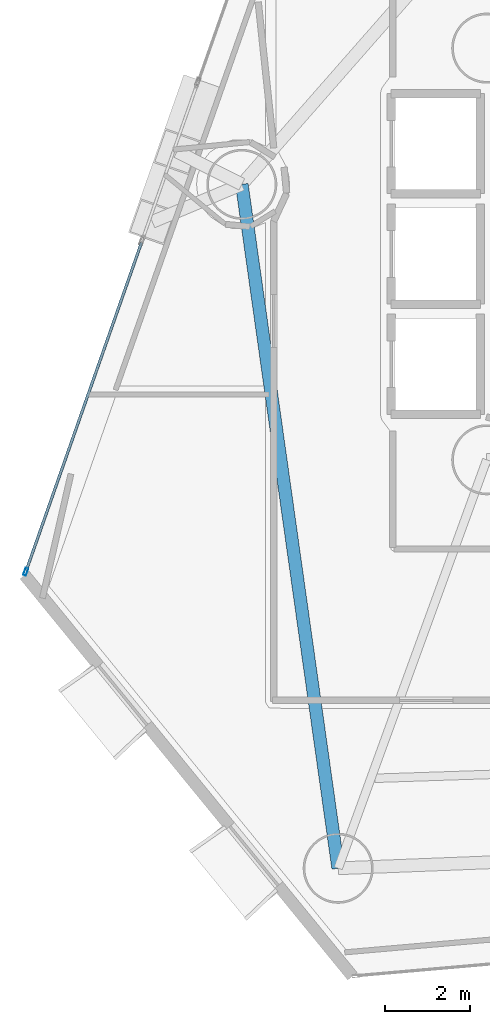
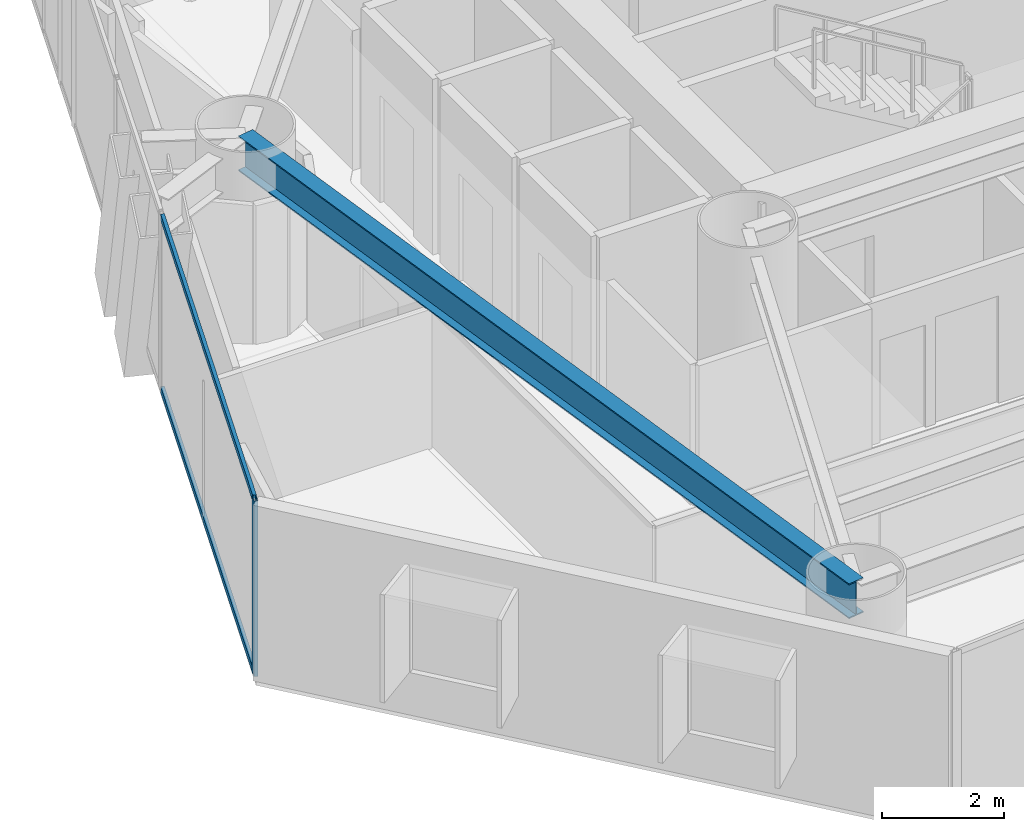
# One storey, part 4 of 23: 3 members, 1 beam, 1 element without a shape of its own.
"""IFC4 building model written with IfcOpenShell, lengths in metres."""

from ifc_helpers import new_model, si_unit, direction, frame, origin, origin_2d, place, context, subcontext, project, spatial, hollow_rectangle, i_section, extrude, material, layer, layer_set, material_profile, profile_set, type_object, element, aggregate, save


model = new_model("IFC4")

# Units and contexts
model_context = context("Model", 3, precision=1e-05, world=origin(), true_north=direction((0.0, 1.0)))
body_context = subcontext(model_context, "Body", "Model", "MODEL_VIEW")
ifc_project = project(units=[si_unit("LENGTHUNIT", "METRE"), si_unit("AREAUNIT", "SQUARE_METRE"), si_unit("VOLUMEUNIT", "CUBIC_METRE"), si_unit("PLANEANGLEUNIT", "RADIAN"), si_unit("MASSUNIT", "GRAM", prefix="KILO")], contexts=[model_context])

# Site, building, storey
site_placement = place(None, origin())
site = spatial("IfcSite", under=ifc_project, at=site_placement, CompositionType="ELEMENT")
building_placement = place(site_placement, origin())
building = spatial("IfcBuilding", under=site, at=building_placement, Name="Qianvela Tower", CompositionType="ELEMENT")
storey_placement = place(building_placement, frame((0.0, 0.0, 63.60009765625)))
storey = spatial("IfcBuildingStorey", under=building, at=storey_placement, Name="L15", CompositionType="ELEMENT", Elevation=63.60009765625)

# Beam
ifc_material_1 = material(Name="Steel Q355B", Category="steel")
ifc_material_profile_1 = material_profile(ifc_material_1, i_section(OverallWidth=0.300048828125, OverallDepth=0.699951171875, WebThickness=0.012939453125, FlangeThickness=0.02392578125, at=origin_2d()), Name="HN700x300x13x24")
ifc_profile_set_1 = profile_set([ifc_material_profile_1], Name="Steel Q355B")
beam_type = type_object("IfcBeamType", Name="BM-HN700-SPAND", PredefinedType="SPANDREL", material=ifc_profile_set_1)
beam_placement = place(storey_placement, frame((22.8291015625, 30.340087890625, 3.16796875), z_axis=(0.139545592864, -0.990215646974, 0.0), x_axis=(0.990215646974, 0.139545592864, 0.0)))
element("IfcBeam", 1, at=beam_placement, inside=storey, type_object=beam_type, Name="L15 Perimeter Ring Spandrel Girder 4", PredefinedType="SPANDREL", context=body_context, shape_type="SweptSolid", body=[
    extrude(i_section(OverallWidth=0.300048828125, OverallDepth=0.699951171875, WebThickness=0.012939453125, FlangeThickness=0.02392578125, at=origin_2d()), origin(), (0.0, 0.0, 1.0), 16.274169921875),
])

# Curtain wall, members
ifc_material_2 = material(Name="Anodised Architectural Aluminium and Low-E Glass", Category="aluminium")
ifc_layer = layer(ifc_material_2, 0.179931640625)
ifc_layer_set = layer_set([ifc_layer], Name="Anodised Architectural Aluminium and Low-E Glass")
curtain_wall_type = type_object("IfcCurtainWallType", Name="CW-COLIV-Z12", PredefinedType="USERDEFINED", material=ifc_layer_set)
curtain_wall_placement = place(storey_placement, origin())
curtain_wall = element("IfcCurtainWall", 2, at=curtain_wall_placement, inside=storey, type_object=curtain_wall_type, Name="L15 CW-COLIV-Z12 Curtain Wall 04C", ObjectType="CURTAIN_WALL_SYSTEM", PredefinedType="USERDEFINED")
ifc_material_3 = material(Name="Anodised Architectural Aluminium 6063-T6", Category="aluminium")
ifc_material_profile_2 = material_profile(ifc_material_3, hollow_rectangle(XDim=0.070068359375, YDim=0.179931640625, WallThickness=0.0048828125, at=origin_2d()), Name="ALU-MULL-70x180")
ifc_profile_set_2 = profile_set([ifc_material_profile_2], Name="Anodised Architectural Aluminium 6063-T6")
member_type_1 = type_object("IfcMemberType", Name="CW-COLIV-Z12-MULL", PredefinedType="MULLION", material=ifc_profile_set_2)
member_1_placement = place(storey_placement, frame((17.739501953125, 21.2119140625, 0.0), z_axis=(0.0, 0.0, 1.0), x_axis=(0.943456383304, -0.331496685961, 0.0)))
member_1 = element("IfcMember", 3, at=member_1_placement, type_object=member_type_1, Name="CW-3 mullion 2", PredefinedType="MULLION", context=body_context, shape_type="SweptSolid", body=[
    extrude(hollow_rectangle(XDim=0.070068359375, YDim=0.179931640625, WallThickness=0.0048828125, at=origin_2d()), origin(), (0.0, 0.0, 1.0), 3.52001953125),
])
ifc_material_4 = material(Name="Anodised Architectural Aluminium 6063-T6", Category="aluminium")
ifc_material_profile_3 = material_profile(ifc_material_4, hollow_rectangle(XDim=0.06494140625, YDim=0.1298828125, WallThickness=0.00439453125, at=origin_2d()), Name="ALU-TRAN-65x130")
ifc_profile_set_3 = profile_set([ifc_material_profile_3], Name="Anodised Architectural Aluminium 6063-T6")
member_type_2 = type_object("IfcMemberType", Name="CW-COLIV-Z12-TRAN", PredefinedType="USERDEFINED", material=ifc_profile_set_3)
member_2_placement = place(storey_placement, frame((20.464599609375, 28.968017578125, 0.032470703125), z_axis=(-0.331504650104, -0.943453584952, 0.0), x_axis=(0.943453584952, -0.331504650104, 0.0)))
member_2 = element("IfcMember", 4, at=member_2_placement, type_object=member_type_2, Name="CW-3 transom 1.1", ObjectType="TRANSOM", PredefinedType="USERDEFINED", context=body_context, shape_type="SweptSolid", body=[
    extrude(hollow_rectangle(XDim=0.06494140625, YDim=0.1298828125, WallThickness=0.00439453125, at=origin_2d()), origin(), (0.0, 0.0, 1.0), 8.185791015625),
])
member_3_placement = place(storey_placement, frame((20.464599609375, 28.968017578125, 3.4873046875), z_axis=(-0.331504650104, -0.943453584952, 0.0), x_axis=(0.943453584952, -0.331504650104, 0.0)))
member_3 = element("IfcMember", 5, at=member_3_placement, type_object=member_type_2, Name="CW-3 transom 1.2", ObjectType="TRANSOM", PredefinedType="USERDEFINED", context=body_context, shape_type="SweptSolid", body=[
    extrude(hollow_rectangle(XDim=0.06494140625, YDim=0.1298828125, WallThickness=0.00439453125, at=origin_2d()), origin(), (0.0, 0.0, 1.0), 8.185791015625),
])
aggregate(curtain_wall, [member_1, member_2, member_3])

save(model, "model.ifc")
